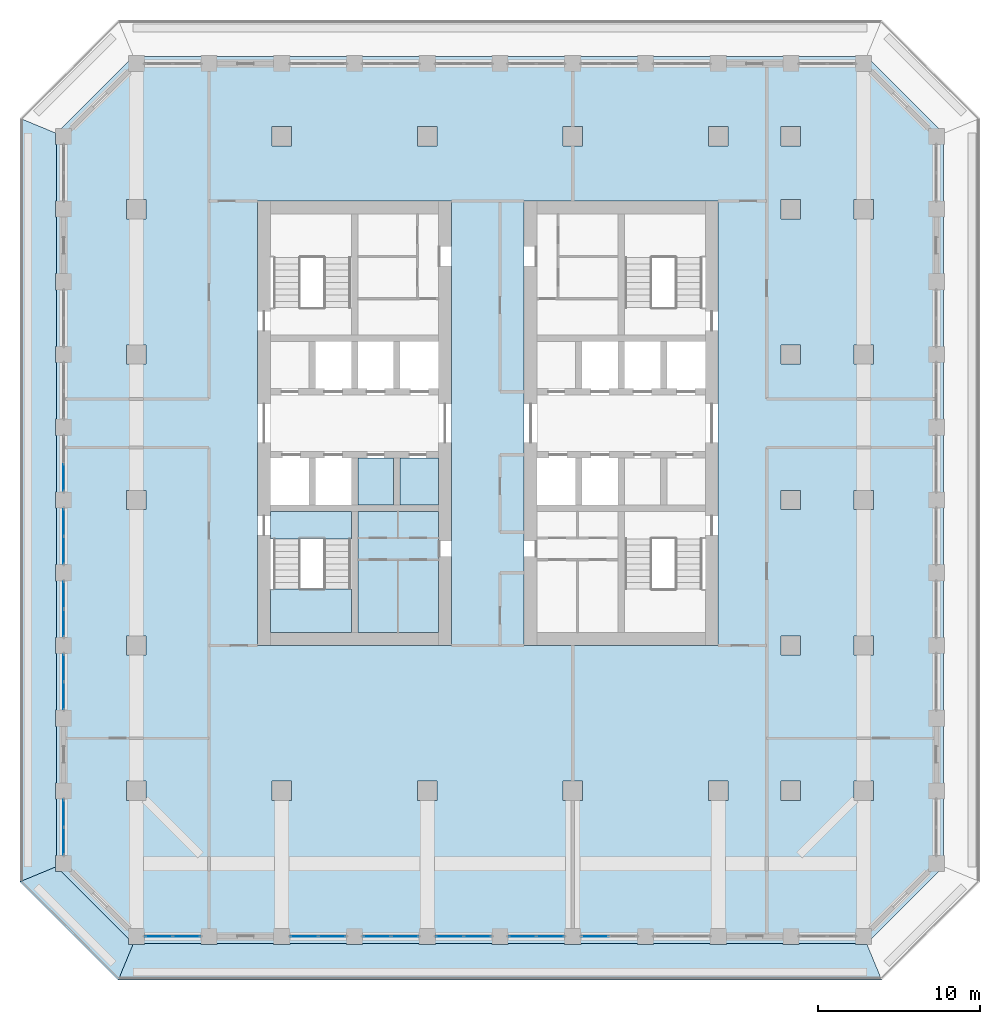
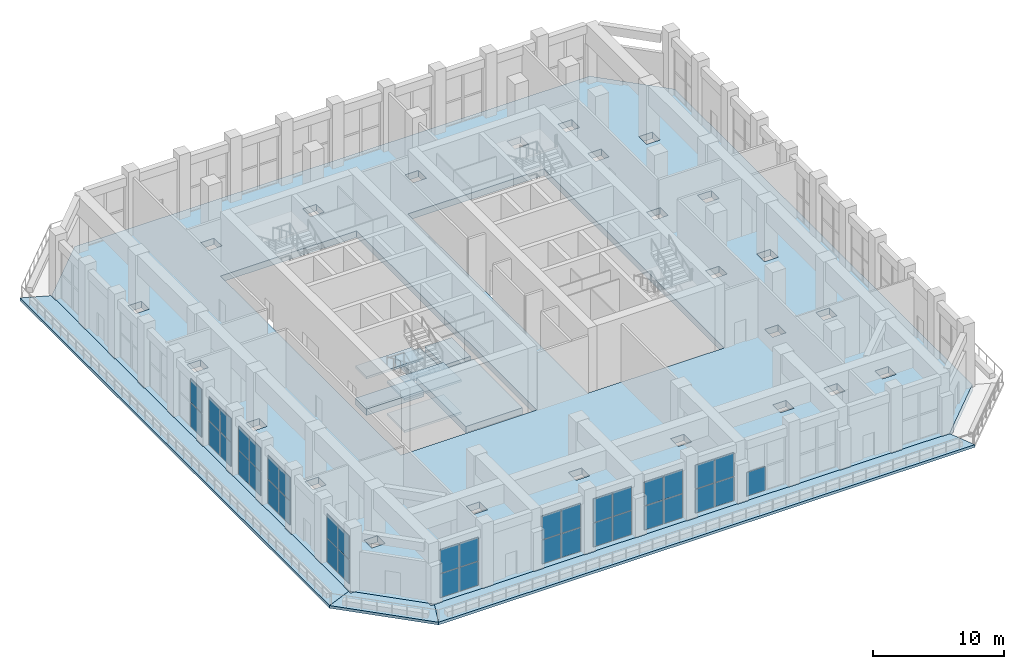
# One storey, part 10 of 25: 39 plates, 11 slabs, 12 elements without a shape of their own.
"""IFC4 building model written with IfcOpenShell, lengths in metres."""

from ifc_helpers import new_model, si_unit, direction, frame, origin, origin_2d, place, context, subcontext, project, spatial, polyline, rectangle, outline, extrude, material, layer, layer_set, type_object, element, aggregate, save


model = new_model("IFC4")

# Units and contexts
model_context = context("Model", 3, precision=1e-05, world=origin(), true_north=direction((0.0, 1.0)))
body_context = subcontext(model_context, "Body", "Model", "MODEL_VIEW")
ifc_project = project(units=[si_unit("LENGTHUNIT", "METRE"), si_unit("AREAUNIT", "SQUARE_METRE"), si_unit("VOLUMEUNIT", "CUBIC_METRE"), si_unit("PLANEANGLEUNIT", "RADIAN"), si_unit("MASSUNIT", "GRAM", prefix="KILO")], contexts=[model_context])

# Site, building, storey
site_placement = place(None, origin())
site = spatial("IfcSite", under=ifc_project, at=site_placement, CompositionType="ELEMENT")
building_placement = place(site_placement, origin())
building = spatial("IfcBuilding", under=site, at=building_placement, Name="Corbel Stack Research Tower", CompositionType="ELEMENT")
storey_placement = place(building_placement, frame((0.0, 0.0, 220.199951171875)))
storey = spatial("IfcBuildingStorey", under=building, at=storey_placement, Name="L50", CompositionType="ELEMENT", Elevation=220.199951171875)

# Curtain wall, plates
ifc_material_1 = material(Name="Aluminium frame, clear glass", Category="aluminium")
curtain_wall_type = type_object("IfcCurtainWallType", Name="Upper amenity floor curtain wall CW3", PredefinedType="NOTDEFINED", material=ifc_material_1)
curtain_wall_1_placement = place(storey_placement, origin())
curtain_wall_1 = element("IfcCurtainWall", 1, at=curtain_wall_1_placement, inside=storey, type_object=curtain_wall_type, Name="Curtain wall CW3 L50 S01", PredefinedType="NOTDEFINED")
ifc_material_2 = material(Name="Low-emissivity glass", Category="glass")
ifc_layer_1 = layer(ifc_material_2, 0.035888671875)
ifc_layer_set_1 = layer_set([ifc_layer_1], Name="Low-emissivity glass")
plate_type = type_object("IfcPlateType", Name="Low-emissivity glazing 36", PredefinedType="CURTAIN_PANEL", material=ifc_layer_set_1)
plate_1_placement = place(storey_placement, frame((-16.610107421875, -27.0, 0.06005859375), z_axis=(0.0, 0.0, 1.0), x_axis=(1.0, 0.0, 0.0)))
plate_1 = element("IfcPlate", 2, at=plate_1_placement, type_object=plate_type, Name="CW3 panel 1.1", PredefinedType="CURTAIN_PANEL", context=body_context, shape_type="SweptSolid", body=[
    extrude(rectangle(XDim=1.659912109375, YDim=0.035888671875, at=origin_2d()), origin(), (0.0, 0.0, 1.0), 2.2099609375),
])
plate_2_placement = place(storey_placement, frame((-16.610107421875, -27.0, 2.330078125), z_axis=(0.0, 0.0, 1.0), x_axis=(1.0, 0.0, 0.0)))
plate_2 = element("IfcPlate", 3, at=plate_2_placement, type_object=plate_type, Name="CW3 panel 1.2", PredefinedType="CURTAIN_PANEL", context=body_context, shape_type="SweptSolid", body=[
    extrude(rectangle(XDim=1.659912109375, YDim=0.035888671875, at=origin_2d()), origin(), (0.0, 0.0, 1.0), 2.2099609375),
])
plate_3_placement = place(storey_placement, frame((-14.889892578125, -27.0, 0.06005859375), z_axis=(0.0, 0.0, 1.0), x_axis=(1.0, 0.0, 0.0)))
plate_3 = element("IfcPlate", 4, at=plate_3_placement, type_object=plate_type, Name="CW3 panel 2.1", PredefinedType="CURTAIN_PANEL", context=body_context, shape_type="SweptSolid", body=[
    extrude(rectangle(XDim=1.659912109375, YDim=0.035888671875, at=origin_2d()), origin(), (0.0, 0.0, 1.0), 2.2099609375),
])
plate_4_placement = place(storey_placement, frame((-14.889892578125, -27.0, 2.330078125), z_axis=(0.0, 0.0, 1.0), x_axis=(1.0, 0.0, 0.0)))
plate_4 = element("IfcPlate", 5, at=plate_4_placement, type_object=plate_type, Name="CW3 panel 2.2", PredefinedType="CURTAIN_PANEL", context=body_context, shape_type="SweptSolid", body=[
    extrude(rectangle(XDim=1.659912109375, YDim=0.035888671875, at=origin_2d()), origin(), (0.0, 0.0, 1.0), 2.2099609375),
])
aggregate(curtain_wall_1, [plate_1, plate_2, plate_3, plate_4])

curtain_wall_2_placement = place(storey_placement, origin())
curtain_wall_2 = element("IfcCurtainWall", 6, at=curtain_wall_2_placement, inside=storey, type_object=curtain_wall_type, Name="Curtain wall CW3 L50 S03", PredefinedType="NOTDEFINED")
plate_5_placement = place(storey_placement, frame((-7.610107421875, -27.0, 0.06005859375), z_axis=(0.0, 0.0, 1.0), x_axis=(1.0, 0.0, 0.0)))
plate_5 = element("IfcPlate", 7, at=plate_5_placement, type_object=plate_type, Name="CW3 panel 1.1", PredefinedType="CURTAIN_PANEL", context=body_context, shape_type="SweptSolid", body=[
    extrude(rectangle(XDim=1.659912109375, YDim=0.035888671875, at=origin_2d()), origin(), (0.0, 0.0, 1.0), 2.2099609375),
])
plate_6_placement = place(storey_placement, frame((-7.610107421875, -27.0, 2.330078125), z_axis=(0.0, 0.0, 1.0), x_axis=(1.0, 0.0, 0.0)))
plate_6 = element("IfcPlate", 8, at=plate_6_placement, type_object=plate_type, Name="CW3 panel 1.2", PredefinedType="CURTAIN_PANEL", context=body_context, shape_type="SweptSolid", body=[
    extrude(rectangle(XDim=1.659912109375, YDim=0.035888671875, at=origin_2d()), origin(), (0.0, 0.0, 1.0), 2.2099609375),
])
plate_7_placement = place(storey_placement, frame((-5.889892578125, -27.0, 0.06005859375), z_axis=(0.0, 0.0, 1.0), x_axis=(1.0, 0.0, 0.0)))
plate_7 = element("IfcPlate", 9, at=plate_7_placement, type_object=plate_type, Name="CW3 panel 2.1", PredefinedType="CURTAIN_PANEL", context=body_context, shape_type="SweptSolid", body=[
    extrude(rectangle(XDim=1.659912109375, YDim=0.035888671875, at=origin_2d()), origin(), (0.0, 0.0, 1.0), 2.2099609375),
])
plate_8_placement = place(storey_placement, frame((-5.889892578125, -27.0, 2.330078125), z_axis=(0.0, 0.0, 1.0), x_axis=(1.0, 0.0, 0.0)))
plate_8 = element("IfcPlate", 10, at=plate_8_placement, type_object=plate_type, Name="CW3 panel 2.2", PredefinedType="CURTAIN_PANEL", context=body_context, shape_type="SweptSolid", body=[
    extrude(rectangle(XDim=1.659912109375, YDim=0.035888671875, at=origin_2d()), origin(), (0.0, 0.0, 1.0), 2.2099609375),
])
aggregate(curtain_wall_2, [plate_5, plate_6, plate_7, plate_8])

curtain_wall_3_placement = place(storey_placement, origin())
curtain_wall_3 = element("IfcCurtainWall", 11, at=curtain_wall_3_placement, inside=storey, type_object=curtain_wall_type, Name="Curtain wall CW3 L50 S04", PredefinedType="NOTDEFINED")
plate_9_placement = place(storey_placement, frame((-3.110107421875, -27.0, 0.06005859375), z_axis=(0.0, 0.0, 1.0), x_axis=(1.0, 0.0, 0.0)))
plate_9 = element("IfcPlate", 12, at=plate_9_placement, type_object=plate_type, Name="CW3 panel 1.1", PredefinedType="CURTAIN_PANEL", context=body_context, shape_type="SweptSolid", body=[
    extrude(rectangle(XDim=1.659912109375, YDim=0.035888671875, at=origin_2d()), origin(), (0.0, 0.0, 1.0), 2.2099609375),
])
plate_10_placement = place(storey_placement, frame((-3.110107421875, -27.0, 2.330078125), z_axis=(0.0, 0.0, 1.0), x_axis=(1.0, 0.0, 0.0)))
plate_10 = element("IfcPlate", 13, at=plate_10_placement, type_object=plate_type, Name="CW3 panel 1.2", PredefinedType="CURTAIN_PANEL", context=body_context, shape_type="SweptSolid", body=[
    extrude(rectangle(XDim=1.659912109375, YDim=0.035888671875, at=origin_2d()), origin(), (0.0, 0.0, 1.0), 2.2099609375),
])
plate_11_placement = place(storey_placement, frame((-1.389892578125, -27.0, 0.06005859375), z_axis=(0.0, 0.0, 1.0), x_axis=(1.0, 0.0, 0.0)))
plate_11 = element("IfcPlate", 14, at=plate_11_placement, type_object=plate_type, Name="CW3 panel 2.1", PredefinedType="CURTAIN_PANEL", context=body_context, shape_type="SweptSolid", body=[
    extrude(rectangle(XDim=1.659912109375, YDim=0.035888671875, at=origin_2d()), origin(), (0.0, 0.0, 1.0), 2.2099609375),
])
plate_12_placement = place(storey_placement, frame((-1.389892578125, -27.0, 2.330078125), z_axis=(0.0, 0.0, 1.0), x_axis=(1.0, 0.0, 0.0)))
plate_12 = element("IfcPlate", 15, at=plate_12_placement, type_object=plate_type, Name="CW3 panel 2.2", PredefinedType="CURTAIN_PANEL", context=body_context, shape_type="SweptSolid", body=[
    extrude(rectangle(XDim=1.659912109375, YDim=0.035888671875, at=origin_2d()), origin(), (0.0, 0.0, 1.0), 2.2099609375),
])
aggregate(curtain_wall_3, [plate_9, plate_10, plate_11, plate_12])

curtain_wall_4_placement = place(storey_placement, origin())
curtain_wall_4 = element("IfcCurtainWall", 16, at=curtain_wall_4_placement, inside=storey, type_object=curtain_wall_type, Name="Curtain wall CW3 L50 S05", PredefinedType="NOTDEFINED")
plate_13_placement = place(storey_placement, frame((1.389892578125, -27.0, 0.06005859375), z_axis=(0.0, 0.0, 1.0), x_axis=(1.0, 0.0, 0.0)))
plate_13 = element("IfcPlate", 17, at=plate_13_placement, type_object=plate_type, Name="CW3 panel 1.1", PredefinedType="CURTAIN_PANEL", context=body_context, shape_type="SweptSolid", body=[
    extrude(rectangle(XDim=1.659912109375, YDim=0.035888671875, at=origin_2d()), origin(), (0.0, 0.0, 1.0), 2.2099609375),
])
plate_14_placement = place(storey_placement, frame((1.389892578125, -27.0, 2.330078125), z_axis=(0.0, 0.0, 1.0), x_axis=(1.0, 0.0, 0.0)))
plate_14 = element("IfcPlate", 18, at=plate_14_placement, type_object=plate_type, Name="CW3 panel 1.2", PredefinedType="CURTAIN_PANEL", context=body_context, shape_type="SweptSolid", body=[
    extrude(rectangle(XDim=1.659912109375, YDim=0.035888671875, at=origin_2d()), origin(), (0.0, 0.0, 1.0), 2.2099609375),
])
plate_15_placement = place(storey_placement, frame((3.110107421875, -27.0, 0.06005859375), z_axis=(0.0, 0.0, 1.0), x_axis=(1.0, 0.0, 0.0)))
plate_15 = element("IfcPlate", 19, at=plate_15_placement, type_object=plate_type, Name="CW3 panel 2.1", PredefinedType="CURTAIN_PANEL", context=body_context, shape_type="SweptSolid", body=[
    extrude(rectangle(XDim=1.659912109375, YDim=0.035888671875, at=origin_2d()), origin(), (0.0, 0.0, 1.0), 2.2099609375),
])
plate_16_placement = place(storey_placement, frame((3.110107421875, -27.0, 2.330078125), z_axis=(0.0, 0.0, 1.0), x_axis=(1.0, 0.0, 0.0)))
plate_16 = element("IfcPlate", 20, at=plate_16_placement, type_object=plate_type, Name="CW3 panel 2.2", PredefinedType="CURTAIN_PANEL", context=body_context, shape_type="SweptSolid", body=[
    extrude(rectangle(XDim=1.659912109375, YDim=0.035888671875, at=origin_2d()), origin(), (0.0, 0.0, 1.0), 2.2099609375),
])
aggregate(curtain_wall_4, [plate_13, plate_14, plate_15, plate_16])

curtain_wall_5_placement = place(storey_placement, origin())
curtain_wall_5 = element("IfcCurtainWall", 21, at=curtain_wall_5_placement, inside=storey, type_object=curtain_wall_type, Name="Curtain wall CW3 L50 S06", PredefinedType="NOTDEFINED")
plate_17_placement = place(storey_placement, frame((5.889892578125, -27.0, 0.06005859375), z_axis=(0.0, 0.0, 1.0), x_axis=(1.0, 0.0, 0.0)))
plate_17 = element("IfcPlate", 22, at=plate_17_placement, type_object=plate_type, Name="CW3 panel 1.1", PredefinedType="CURTAIN_PANEL", context=body_context, shape_type="SweptSolid", body=[
    extrude(rectangle(XDim=1.659912109375, YDim=0.035888671875, at=origin_2d()), origin(), (0.0, 0.0, 1.0), 2.2099609375),
])
plate_18_placement = place(storey_placement, frame((5.889892578125, -27.0, 2.330078125), z_axis=(0.0, 0.0, 1.0), x_axis=(1.0, 0.0, 0.0)))
plate_18 = element("IfcPlate", 23, at=plate_18_placement, type_object=plate_type, Name="CW3 panel 1.2", PredefinedType="CURTAIN_PANEL", context=body_context, shape_type="SweptSolid", body=[
    extrude(rectangle(XDim=1.659912109375, YDim=0.035888671875, at=origin_2d()), origin(), (0.0, 0.0, 1.0), 2.2099609375),
])
plate_19_placement = place(storey_placement, frame((7.610107421875, -27.0, 0.06005859375), z_axis=(0.0, 0.0, 1.0), x_axis=(1.0, 0.0, 0.0)))
plate_19 = element("IfcPlate", 24, at=plate_19_placement, type_object=plate_type, Name="CW3 panel 2.1", PredefinedType="CURTAIN_PANEL", context=body_context, shape_type="SweptSolid", body=[
    extrude(rectangle(XDim=1.659912109375, YDim=0.035888671875, at=origin_2d()), origin(), (0.0, 0.0, 1.0), 2.2099609375),
])
plate_20_placement = place(storey_placement, frame((7.610107421875, -27.0, 2.330078125), z_axis=(0.0, 0.0, 1.0), x_axis=(1.0, 0.0, 0.0)))
plate_20 = element("IfcPlate", 25, at=plate_20_placement, type_object=plate_type, Name="CW3 panel 2.2", PredefinedType="CURTAIN_PANEL", context=body_context, shape_type="SweptSolid", body=[
    extrude(rectangle(XDim=1.659912109375, YDim=0.035888671875, at=origin_2d()), origin(), (0.0, 0.0, 1.0), 2.2099609375),
])
aggregate(curtain_wall_5, [plate_17, plate_18, plate_19, plate_20])

# Curtain wall, plate
curtain_wall_6_placement = place(storey_placement, origin())
curtain_wall_6 = element("IfcCurtainWall", 26, at=curtain_wall_6_placement, inside=storey, type_object=curtain_wall_type, Name="Curtain wall CW3 L50 S07", PredefinedType="NOTDEFINED")
plate_21_placement = place(storey_placement, frame((10.389892578125, -27.0, 0.06005859375), z_axis=(0.0, 0.0, 1.0), x_axis=(1.0, 0.0, 0.0)))
plate_21 = element("IfcPlate", 27, at=plate_21_placement, type_object=plate_type, Name="CW3 panel 1.1", PredefinedType="CURTAIN_PANEL", context=body_context, shape_type="SweptSolid", body=[
    extrude(rectangle(XDim=1.659912109375, YDim=0.035888671875, at=origin_2d()), origin(), (0.0, 0.0, 1.0), 2.2099609375),
])
aggregate(curtain_wall_6, [plate_21])

# Curtain wall, plates
curtain_wall_7_placement = place(storey_placement, origin())
curtain_wall_7 = element("IfcCurtainWall", 28, at=curtain_wall_7_placement, inside=storey, type_object=curtain_wall_type, Name="Curtain wall CW3 L50 W05", PredefinedType="NOTDEFINED")
plate_22_placement = place(storey_placement, frame((-22.5, 1.389892578125, 0.06005859375), z_axis=(0.0, 0.0, 1.0), x_axis=(0.0, -1.0, 0.0)))
plate_22 = element("IfcPlate", 29, at=plate_22_placement, type_object=plate_type, Name="CW3 panel 2.1", PredefinedType="CURTAIN_PANEL", context=body_context, shape_type="SweptSolid", body=[
    extrude(rectangle(XDim=1.659912109375, YDim=0.035888671875, at=origin_2d()), origin(), (0.0, 0.0, 1.0), 2.2099609375),
])
plate_23_placement = place(storey_placement, frame((-22.5, 1.389892578125, 2.330078125), z_axis=(0.0, 0.0, 1.0), x_axis=(0.0, -1.0, 0.0)))
plate_23 = element("IfcPlate", 30, at=plate_23_placement, type_object=plate_type, Name="CW3 panel 2.2", PredefinedType="CURTAIN_PANEL", context=body_context, shape_type="SweptSolid", body=[
    extrude(rectangle(XDim=1.659912109375, YDim=0.035888671875, at=origin_2d()), origin(), (0.0, 0.0, 1.0), 2.2099609375),
])
aggregate(curtain_wall_7, [plate_22, plate_23])

curtain_wall_8_placement = place(storey_placement, origin())
curtain_wall_8 = element("IfcCurtainWall", 31, at=curtain_wall_8_placement, inside=storey, type_object=curtain_wall_type, Name="Curtain wall CW3 L50 W06", PredefinedType="NOTDEFINED")
plate_24_placement = place(storey_placement, frame((-22.5, -1.389892578125, 0.06005859375), z_axis=(0.0, 0.0, 1.0), x_axis=(0.0, -1.0, 0.0)))
plate_24 = element("IfcPlate", 32, at=plate_24_placement, type_object=plate_type, Name="CW3 panel 1.1", PredefinedType="CURTAIN_PANEL", context=body_context, shape_type="SweptSolid", body=[
    extrude(rectangle(XDim=1.659912109375, YDim=0.035888671875, at=origin_2d()), origin(), (0.0, 0.0, 1.0), 2.2099609375),
])
plate_25_placement = place(storey_placement, frame((-22.5, -1.389892578125, 2.330078125), z_axis=(0.0, 0.0, 1.0), x_axis=(0.0, -1.0, 0.0)))
plate_25 = element("IfcPlate", 33, at=plate_25_placement, type_object=plate_type, Name="CW3 panel 1.2", PredefinedType="CURTAIN_PANEL", context=body_context, shape_type="SweptSolid", body=[
    extrude(rectangle(XDim=1.659912109375, YDim=0.035888671875, at=origin_2d()), origin(), (0.0, 0.0, 1.0), 2.2099609375),
])
plate_26_placement = place(storey_placement, frame((-22.5, -3.110107421875, 0.06005859375), z_axis=(0.0, 0.0, 1.0), x_axis=(0.0, -1.0, 0.0)))
plate_26 = element("IfcPlate", 34, at=plate_26_placement, type_object=plate_type, Name="CW3 panel 2.1", PredefinedType="CURTAIN_PANEL", context=body_context, shape_type="SweptSolid", body=[
    extrude(rectangle(XDim=1.659912109375, YDim=0.035888671875, at=origin_2d()), origin(), (0.0, 0.0, 1.0), 2.2099609375),
])
plate_27_placement = place(storey_placement, frame((-22.5, -3.110107421875, 2.330078125), z_axis=(0.0, 0.0, 1.0), x_axis=(0.0, -1.0, 0.0)))
plate_27 = element("IfcPlate", 35, at=plate_27_placement, type_object=plate_type, Name="CW3 panel 2.2", PredefinedType="CURTAIN_PANEL", context=body_context, shape_type="SweptSolid", body=[
    extrude(rectangle(XDim=1.659912109375, YDim=0.035888671875, at=origin_2d()), origin(), (0.0, 0.0, 1.0), 2.2099609375),
])
aggregate(curtain_wall_8, [plate_24, plate_25, plate_26, plate_27])

curtain_wall_9_placement = place(storey_placement, origin())
curtain_wall_9 = element("IfcCurtainWall", 36, at=curtain_wall_9_placement, inside=storey, type_object=curtain_wall_type, Name="Curtain wall CW3 L50 W07", PredefinedType="NOTDEFINED")
plate_28_placement = place(storey_placement, frame((-22.5, -5.889892578125, 0.06005859375), z_axis=(0.0, 0.0, 1.0), x_axis=(0.0, -1.0, 0.0)))
plate_28 = element("IfcPlate", 37, at=plate_28_placement, type_object=plate_type, Name="CW3 panel 1.1", PredefinedType="CURTAIN_PANEL", context=body_context, shape_type="SweptSolid", body=[
    extrude(rectangle(XDim=1.659912109375, YDim=0.035888671875, at=origin_2d()), origin(), (0.0, 0.0, 1.0), 2.2099609375),
])
plate_29_placement = place(storey_placement, frame((-22.5, -5.889892578125, 2.330078125), z_axis=(0.0, 0.0, 1.0), x_axis=(0.0, -1.0, 0.0)))
plate_29 = element("IfcPlate", 38, at=plate_29_placement, type_object=plate_type, Name="CW3 panel 1.2", PredefinedType="CURTAIN_PANEL", context=body_context, shape_type="SweptSolid", body=[
    extrude(rectangle(XDim=1.659912109375, YDim=0.035888671875, at=origin_2d()), origin(), (0.0, 0.0, 1.0), 2.2099609375),
])
plate_30_placement = place(storey_placement, frame((-22.5, -7.610107421875, 0.06005859375), z_axis=(0.0, 0.0, 1.0), x_axis=(0.0, -1.0, 0.0)))
plate_30 = element("IfcPlate", 39, at=plate_30_placement, type_object=plate_type, Name="CW3 panel 2.1", PredefinedType="CURTAIN_PANEL", context=body_context, shape_type="SweptSolid", body=[
    extrude(rectangle(XDim=1.659912109375, YDim=0.035888671875, at=origin_2d()), origin(), (0.0, 0.0, 1.0), 2.2099609375),
])
plate_31_placement = place(storey_placement, frame((-22.5, -7.610107421875, 2.330078125), z_axis=(0.0, 0.0, 1.0), x_axis=(0.0, -1.0, 0.0)))
plate_31 = element("IfcPlate", 40, at=plate_31_placement, type_object=plate_type, Name="CW3 panel 2.2", PredefinedType="CURTAIN_PANEL", context=body_context, shape_type="SweptSolid", body=[
    extrude(rectangle(XDim=1.659912109375, YDim=0.035888671875, at=origin_2d()), origin(), (0.0, 0.0, 1.0), 2.2099609375),
])
aggregate(curtain_wall_9, [plate_28, plate_29, plate_30, plate_31])

curtain_wall_10_placement = place(storey_placement, origin())
curtain_wall_10 = element("IfcCurtainWall", 41, at=curtain_wall_10_placement, inside=storey, type_object=curtain_wall_type, Name="Curtain wall CW3 L50 W08", PredefinedType="NOTDEFINED")
plate_32_placement = place(storey_placement, frame((-22.5, -10.389892578125, 0.06005859375), z_axis=(0.0, 0.0, 1.0), x_axis=(0.0, -1.0, 0.0)))
plate_32 = element("IfcPlate", 42, at=plate_32_placement, type_object=plate_type, Name="CW3 panel 1.1", PredefinedType="CURTAIN_PANEL", context=body_context, shape_type="SweptSolid", body=[
    extrude(rectangle(XDim=1.659912109375, YDim=0.035888671875, at=origin_2d()), origin(), (0.0, 0.0, 1.0), 2.2099609375),
])
plate_33_placement = place(storey_placement, frame((-22.5, -10.389892578125, 2.330078125), z_axis=(0.0, 0.0, 1.0), x_axis=(0.0, -1.0, 0.0)))
plate_33 = element("IfcPlate", 43, at=plate_33_placement, type_object=plate_type, Name="CW3 panel 1.2", PredefinedType="CURTAIN_PANEL", context=body_context, shape_type="SweptSolid", body=[
    extrude(rectangle(XDim=1.659912109375, YDim=0.035888671875, at=origin_2d()), origin(), (0.0, 0.0, 1.0), 2.2099609375),
])
plate_34_placement = place(storey_placement, frame((-22.5, -12.110107421875, 0.06005859375), z_axis=(0.0, 0.0, 1.0), x_axis=(0.0, -1.0, 0.0)))
plate_34 = element("IfcPlate", 44, at=plate_34_placement, type_object=plate_type, Name="CW3 panel 2.1", PredefinedType="CURTAIN_PANEL", context=body_context, shape_type="SweptSolid", body=[
    extrude(rectangle(XDim=1.659912109375, YDim=0.035888671875, at=origin_2d()), origin(), (0.0, 0.0, 1.0), 2.2099609375),
])
plate_35_placement = place(storey_placement, frame((-22.5, -12.110107421875, 2.330078125), z_axis=(0.0, 0.0, 1.0), x_axis=(0.0, -1.0, 0.0)))
plate_35 = element("IfcPlate", 45, at=plate_35_placement, type_object=plate_type, Name="CW3 panel 2.2", PredefinedType="CURTAIN_PANEL", context=body_context, shape_type="SweptSolid", body=[
    extrude(rectangle(XDim=1.659912109375, YDim=0.035888671875, at=origin_2d()), origin(), (0.0, 0.0, 1.0), 2.2099609375),
])
aggregate(curtain_wall_10, [plate_32, plate_33, plate_34, plate_35])

curtain_wall_11_placement = place(storey_placement, origin())
curtain_wall_11 = element("IfcCurtainWall", 46, at=curtain_wall_11_placement, inside=storey, type_object=curtain_wall_type, Name="Curtain wall CW3 L50 W10", PredefinedType="NOTDEFINED")
plate_36_placement = place(storey_placement, frame((-22.5, -19.389892578125, 0.06005859375), z_axis=(0.0, 0.0, 1.0), x_axis=(0.0, -1.0, 0.0)))
plate_36 = element("IfcPlate", 47, at=plate_36_placement, type_object=plate_type, Name="CW3 panel 1.1", PredefinedType="CURTAIN_PANEL", context=body_context, shape_type="SweptSolid", body=[
    extrude(rectangle(XDim=1.659912109375, YDim=0.035888671875, at=origin_2d()), origin(), (0.0, 0.0, 1.0), 2.2099609375),
])
plate_37_placement = place(storey_placement, frame((-22.5, -19.389892578125, 2.330078125), z_axis=(0.0, 0.0, 1.0), x_axis=(0.0, -1.0, 0.0)))
plate_37 = element("IfcPlate", 48, at=plate_37_placement, type_object=plate_type, Name="CW3 panel 1.2", PredefinedType="CURTAIN_PANEL", context=body_context, shape_type="SweptSolid", body=[
    extrude(rectangle(XDim=1.659912109375, YDim=0.035888671875, at=origin_2d()), origin(), (0.0, 0.0, 1.0), 2.2099609375),
])
plate_38_placement = place(storey_placement, frame((-22.5, -21.110107421875, 0.06005859375), z_axis=(0.0, 0.0, 1.0), x_axis=(0.0, -1.0, 0.0)))
plate_38 = element("IfcPlate", 49, at=plate_38_placement, type_object=plate_type, Name="CW3 panel 2.1", PredefinedType="CURTAIN_PANEL", context=body_context, shape_type="SweptSolid", body=[
    extrude(rectangle(XDim=1.659912109375, YDim=0.035888671875, at=origin_2d()), origin(), (0.0, 0.0, 1.0), 2.2099609375),
])
plate_39_placement = place(storey_placement, frame((-22.5, -21.110107421875, 2.330078125), z_axis=(0.0, 0.0, 1.0), x_axis=(0.0, -1.0, 0.0)))
plate_39 = element("IfcPlate", 50, at=plate_39_placement, type_object=plate_type, Name="CW3 panel 2.2", PredefinedType="CURTAIN_PANEL", context=body_context, shape_type="SweptSolid", body=[
    extrude(rectangle(XDim=1.659912109375, YDim=0.035888671875, at=origin_2d()), origin(), (0.0, 0.0, 1.0), 2.2099609375),
])
aggregate(curtain_wall_11, [plate_36, plate_37, plate_38, plate_39])

# Slabs
ifc_material_3 = material(Name="Concrete C45/55", Category="concrete")
ifc_layer_2 = layer(ifc_material_3, 0.25)
ifc_layer_set_2 = layer_set([ifc_layer_2], Name="Concrete C45/55")
slab_type_1 = type_object("IfcSlabType", Name="PT balcony slab 250 C45/55", PredefinedType="FLOOR", material=ifc_layer_set_2)
slab_1_placement = place(storey_placement, frame((0.0, 0.0, -0.25)))
element("IfcSlab", 51, at=slab_1_placement, inside=storey, type_object=slab_type_1, Name="Loggia slab L50 S", PredefinedType="FLOOR", context=body_context, shape_type="SweptSolid", body=[
    extrude(outline(polyline([(27.20703125, -27.5), (26.5, -27.5), (26.5, -27.449951171875), (23.0, -27.449951171875), (23.0, -27.5), (22.0, -27.5), (22.0, -27.449951171875), (18.5, -27.449951171875), (18.5, -27.5), (17.5, -27.5), (17.5, -27.449951171875), (14.0, -27.449951171875), (14.0, -27.5), (13.0, -27.5), (13.0, -27.449951171875), (9.5, -27.449951171875), (9.5, -27.5), (8.5, -27.5), (8.5, -27.449951171875), (5.0, -27.449951171875), (5.0, -27.5), (4.0, -27.5), (4.0, -27.449951171875), (0.5, -27.449951171875), (0.5, -27.5), (-0.5, -27.5), (-0.5, -27.449951171875), (-4.0, -27.449951171875), (-4.0, -27.5), (-5.0, -27.5), (-5.0, -27.449951171875), (-8.5, -27.449951171875), (-8.5, -27.5), (-9.5, -27.5), (-9.5, -27.449951171875), (-13.0, -27.449951171875), (-13.0, -27.5), (-14.0, -27.5), (-14.0, -27.449951171875), (-17.5, -27.449951171875), (-17.5, -27.5), (-18.20703125, -27.5), (-19.118408203125, -29.699951171875), (28.118408203125, -29.699951171875), (27.20703125, -27.5)])), origin(), (0.0, 0.0, 1.0), 0.25),
])
slab_2_placement = place(storey_placement, frame((0.0, 0.0, -0.25)))
element("IfcSlab", 52, at=slab_2_placement, inside=storey, type_object=slab_type_1, Name="Loggia slab L50 W", PredefinedType="FLOOR", context=body_context, shape_type="SweptSolid", body=[
    extrude(outline(polyline([(-23.0, -22.70703125), (-23.0, -22.0), (-22.949951171875, -22.0), (-22.949951171875, -18.5), (-23.0, -18.5), (-23.0, -17.5), (-22.949951171875, -17.5), (-22.949951171875, -14.0), (-23.0, -14.0), (-23.0, -13.0), (-22.949951171875, -13.0), (-22.949951171875, -9.5), (-23.0, -9.5), (-23.0, -8.5), (-22.949951171875, -8.5), (-22.949951171875, -5.0), (-23.0, -5.0), (-23.0, -4.0), (-22.949951171875, -4.0), (-22.949951171875, -0.5), (-23.0, -0.5), (-23.0, 0.5), (-22.949951171875, 0.5), (-22.949951171875, 4.0), (-23.0, 4.0), (-23.0, 5.0), (-22.949951171875, 5.0), (-22.949951171875, 8.5), (-23.0, 8.5), (-23.0, 9.5), (-22.949951171875, 9.5), (-22.949951171875, 13.0), (-23.0, 13.0), (-23.0, 14.0), (-22.949951171875, 14.0), (-22.949951171875, 17.5), (-23.0, 17.5), (-23.0, 18.5), (-22.949951171875, 18.5), (-22.949951171875, 22.0), (-23.0, 22.0), (-23.0, 22.70703125), (-25.199951171875, 23.618408203125), (-25.199951171875, -23.618408203125), (-23.0, -22.70703125)])), origin(), (0.0, 0.0, 1.0), 0.25),
])
slab_3_placement = place(storey_placement, frame((0.0, 0.0, -0.25)))
element("IfcSlab", 53, at=slab_3_placement, inside=storey, type_object=slab_type_1, Name="Loggia slab L50 SW", PredefinedType="FLOOR", context=body_context, shape_type="SweptSolid", body=[
    extrude(outline(polyline([(-18.20703125, -27.5), (-18.5, -27.5), (-18.5, -27.136474609375), (-22.636474609375, -23.0), (-23.0, -23.0), (-23.0, -22.70703125), (-25.199951171875, -23.618408203125), (-19.118408203125, -29.699951171875), (-18.20703125, -27.5)])), origin(), (0.0, 0.0, 1.0), 0.25),
])
ifc_material_4 = material(Name="Concrete C45/55", Category="concrete")
ifc_layer_3 = layer(ifc_material_4, 0.60009765625)
ifc_layer_set_3 = layer_set([ifc_layer_3], Name="Concrete C45/55")
slab_type_2 = type_object("IfcSlabType", Name="PT-600", PredefinedType="FLOOR", material=ifc_layer_set_3)
slab_4_placement = place(storey_placement, frame((0.0, 0.0, -0.599853515625)))
element("IfcSlab", 54, at=slab_4_placement, inside=storey, type_object=slab_type_2, Name="Floor slab L50", PredefinedType="FLOOR", context=body_context, shape_type="SweptSolid", body=[
    extrude(outline(polyline([(-18.186279296875, -27.449951171875), (27.186279296875, -27.449951171875), (31.949951171875, -22.686279296875), (31.949951171875, 22.686279296875), (27.186279296875, 27.449951171875), (-18.186279296875, 27.449951171875), (-22.949951171875, 22.686279296875), (-22.949951171875, -22.686279296875), (-18.186279296875, -27.449951171875)]), holes=[polyline([(26.39990234375, 17.39990234375), (26.39990234375, 18.60009765625), (27.60009765625, 18.60009765625), (27.60009765625, 17.39990234375), (26.39990234375, 17.39990234375)]), polyline([(26.39990234375, 8.39990234375), (26.39990234375, 9.60009765625), (27.60009765625, 9.60009765625), (27.60009765625, 8.39990234375), (26.39990234375, 8.39990234375)]), polyline([(27.60009765625, -0.60009765625), (26.39990234375, -0.60009765625), (26.39990234375, 0.60009765625), (27.60009765625, 0.60009765625), (27.60009765625, -0.60009765625)]), polyline([(26.39990234375, -9.60009765625), (26.39990234375, -8.39990234375), (27.60009765625, -8.39990234375), (27.60009765625, -9.60009765625), (26.39990234375, -9.60009765625)]), polyline([(26.39990234375, -18.60009765625), (26.39990234375, -17.39990234375), (27.60009765625, -17.39990234375), (27.60009765625, -18.60009765625), (26.39990234375, -18.60009765625)]), polyline([(21.89990234375, 21.89990234375), (21.89990234375, 23.10009765625), (23.10009765625, 23.10009765625), (23.10009765625, 21.89990234375), (21.89990234375, 21.89990234375)]), polyline([(21.89990234375, 17.39990234375), (21.89990234375, 18.60009765625), (23.10009765625, 18.60009765625), (23.10009765625, 17.39990234375), (21.89990234375, 17.39990234375)]), polyline([(21.89990234375, 8.39990234375), (21.89990234375, 9.60009765625), (23.10009765625, 9.60009765625), (23.10009765625, 8.39990234375), (21.89990234375, 8.39990234375)]), polyline([(21.89990234375, -0.60009765625), (21.89990234375, 0.60009765625), (23.10009765625, 0.60009765625), (23.10009765625, -0.60009765625), (21.89990234375, -0.60009765625)]), polyline([(23.10009765625, -9.60009765625), (21.89990234375, -9.60009765625), (21.89990234375, -8.39990234375), (23.10009765625, -8.39990234375), (23.10009765625, -9.60009765625)]), polyline([(21.89990234375, -18.60009765625), (21.89990234375, -17.39990234375), (23.10009765625, -17.39990234375), (23.10009765625, -18.60009765625), (21.89990234375, -18.60009765625)]), polyline([(17.39990234375, 21.89990234375), (17.39990234375, 23.10009765625), (18.60009765625, 23.10009765625), (18.60009765625, 21.89990234375), (17.39990234375, 21.89990234375)]), polyline([(18.60009765625, -18.60009765625), (17.39990234375, -18.60009765625), (17.39990234375, -17.39990234375), (18.60009765625, -17.39990234375), (18.60009765625, -18.60009765625)]), polyline([(6.0, -9.0), (6.0, 18.5), (18.0, 18.5), (18.0, -9.0), (6.0, -9.0)]), polyline([(8.39990234375, 21.89990234375), (8.39990234375, 23.10009765625), (9.60009765625, 23.10009765625), (9.60009765625, 21.89990234375), (8.39990234375, 21.89990234375)]), polyline([(9.60009765625, -18.60009765625), (8.39990234375, -18.60009765625), (8.39990234375, -17.39990234375), (9.60009765625, -17.39990234375), (9.60009765625, -18.60009765625)]), polyline([(1.5, -9.0), (-10.5, -9.0), (-10.5, 18.5), (1.5, 18.5), (1.5, -9.0)]), polyline([(-0.60009765625, 21.89990234375), (-0.60009765625, 23.10009765625), (0.60009765625, 23.10009765625), (0.60009765625, 21.89990234375), (-0.60009765625, 21.89990234375)]), polyline([(-0.60009765625, -18.60009765625), (-0.60009765625, -17.39990234375), (0.60009765625, -17.39990234375), (0.60009765625, -18.60009765625), (-0.60009765625, -18.60009765625)]), polyline([(-9.60009765625, 21.89990234375), (-9.60009765625, 23.10009765625), (-8.39990234375, 23.10009765625), (-8.39990234375, 21.89990234375), (-9.60009765625, 21.89990234375)]), polyline([(-9.60009765625, -18.60009765625), (-9.60009765625, -17.39990234375), (-8.39990234375, -17.39990234375), (-8.39990234375, -18.60009765625), (-9.60009765625, -18.60009765625)]), polyline([(-18.60009765625, 17.39990234375), (-18.60009765625, 18.60009765625), (-17.39990234375, 18.60009765625), (-17.39990234375, 17.39990234375), (-18.60009765625, 17.39990234375)]), polyline([(-18.60009765625, 8.39990234375), (-18.60009765625, 9.60009765625), (-17.39990234375, 9.60009765625), (-17.39990234375, 8.39990234375), (-18.60009765625, 8.39990234375)]), polyline([(-18.60009765625, -0.60009765625), (-18.60009765625, 0.60009765625), (-17.39990234375, 0.60009765625), (-17.39990234375, -0.60009765625), (-18.60009765625, -0.60009765625)]), polyline([(-18.60009765625, -9.60009765625), (-18.60009765625, -8.39990234375), (-17.39990234375, -8.39990234375), (-17.39990234375, -9.60009765625), (-18.60009765625, -9.60009765625)]), polyline([(-17.39990234375, -18.60009765625), (-18.60009765625, -18.60009765625), (-18.60009765625, -17.39990234375), (-17.39990234375, -17.39990234375), (-17.39990234375, -18.60009765625)])]), origin(), (0.0, 0.0, 1.0), 0.599853515625),
])
slab_5_placement = place(storey_placement, frame((0.0, 0.0, -0.599853515625)))
element("IfcSlab", 55, at=slab_5_placement, inside=storey, type_object=slab_type_2, Name="West core floor L50", PredefinedType="FLOOR", context=body_context, shape_type="SweptSolid", body=[
    extrude(outline(polyline([(-4.300048828125, -0.699951171875), (-4.300048828125, -8.199951171875), (0.699951171875, -8.199951171875), (0.699951171875, -0.699951171875), (-4.300048828125, -0.699951171875)])), origin(), (0.0, 0.0, 1.0), 0.599853515625),
])
slab_6_placement = place(storey_placement, frame((0.0, 0.0, -0.599853515625)))
element("IfcSlab", 56, at=slab_6_placement, inside=storey, type_object=slab_type_2, Name="West core floor L50", PredefinedType="FLOOR", context=body_context, shape_type="SweptSolid", body=[
    extrude(outline(polyline([(-2.074951171875, -0.300048828125), (-2.074951171875, 2.60009765625), (-4.300048828125, 2.60009765625), (-4.300048828125, -0.300048828125), (-2.074951171875, -0.300048828125)])), origin(), (0.0, 0.0, 1.0), 0.599853515625),
])
slab_7_placement = place(storey_placement, frame((0.0, 0.0, -0.599853515625)))
element("IfcSlab", 57, at=slab_7_placement, inside=storey, type_object=slab_type_2, Name="West core floor L50", PredefinedType="FLOOR", context=body_context, shape_type="SweptSolid", body=[
    extrude(outline(polyline([(0.699951171875, -0.300048828125), (0.699951171875, 2.60009765625), (-1.675048828125, 2.60009765625), (-1.675048828125, -0.300048828125), (0.699951171875, -0.300048828125)])), origin(), (0.0, 0.0, 1.0), 0.599853515625),
])
slab_8_placement = place(storey_placement, frame((0.0, 0.0, -0.599853515625)))
element("IfcSlab", 58, at=slab_8_placement, inside=storey, type_object=slab_type_2, Name="Stair floor landing ST-W1", PredefinedType="FLOOR", context=body_context, shape_type="SweptSolid", body=[
    extrude(outline(polyline([(-9.699951171875, -2.39990234375), (-4.699951171875, -2.39990234375), (-4.699951171875, -0.699951171875), (-9.699951171875, -0.699951171875), (-9.699951171875, -2.39990234375)])), origin(), (0.0, 0.0, 1.0), 0.599853515625),
])

# Stair, slabs
ifc_material_5 = material(Name="Concrete C40/50", Category="concrete")
stair_type = type_object("IfcStairType", Name="Exit stair 36 risers, 388 going", PredefinedType="HALF_TURN_STAIR", material=ifc_material_5)
stair_placement = place(storey_placement, origin())
stair = element("IfcStair", 59, at=stair_placement, inside=storey, type_object=stair_type, Name="L50 Exit stair ST-W1", PredefinedType="HALF_TURN_STAIR")
ifc_material_6 = material(Name="Concrete C40/50", Category="concrete")
ifc_layer_4 = layer(ifc_material_6, 0.199951171875)
ifc_layer_set_4 = layer_set([ifc_layer_4], Name="Concrete C40/50")
slab_type_3 = type_object("IfcSlabType", Name="Stair landing 200 C40/50", PredefinedType="LANDING", material=ifc_layer_set_4)
slab_9_placement = place(storey_placement, frame((0.0, 0.0, 1.300048828125)))
slab_9 = element("IfcSlab", 60, at=slab_9_placement, type_object=slab_type_3, Name="ST-W1 landing 1", PredefinedType="LANDING", context=body_context, shape_type="SweptSolid", body=[
    extrude(outline(polyline([(-9.699951171875, -8.199951171875), (-9.699951171875, -5.50390625), (-4.699951171875, -5.50390625), (-4.699951171875, -8.199951171875), (-9.699951171875, -8.199951171875)])), origin(), (0.0, 0.0, 1.0), 0.199951171875),
])
slab_10_placement = place(storey_placement, frame((0.0, 0.0, 2.800048828125)))
slab_10 = element("IfcSlab", 61, at=slab_10_placement, type_object=slab_type_3, Name="ST-W1 landing 2", PredefinedType="LANDING", context=body_context, shape_type="SweptSolid", body=[
    extrude(outline(polyline([(-9.699951171875, -2.39990234375), (-9.699951171875, -0.699951171875), (-4.699951171875, -0.699951171875), (-4.699951171875, -2.39990234375), (-9.699951171875, -2.39990234375)])), origin(), (0.0, 0.0, 1.0), 0.199951171875),
])
slab_11_placement = place(storey_placement, frame((0.0, 0.0, 4.300048828125)))
slab_11 = element("IfcSlab", 62, at=slab_11_placement, type_object=slab_type_3, Name="ST-W1 landing 3", PredefinedType="LANDING", context=body_context, shape_type="SweptSolid", body=[
    extrude(outline(polyline([(-9.699951171875, -8.199951171875), (-9.699951171875, -5.50390625), (-4.699951171875, -5.50390625), (-4.699951171875, -8.199951171875), (-9.699951171875, -8.199951171875)])), origin(), (0.0, 0.0, 1.0), 0.199951171875),
])
aggregate(stair, [slab_9, slab_10, slab_11])

save(model, "model.ifc")
